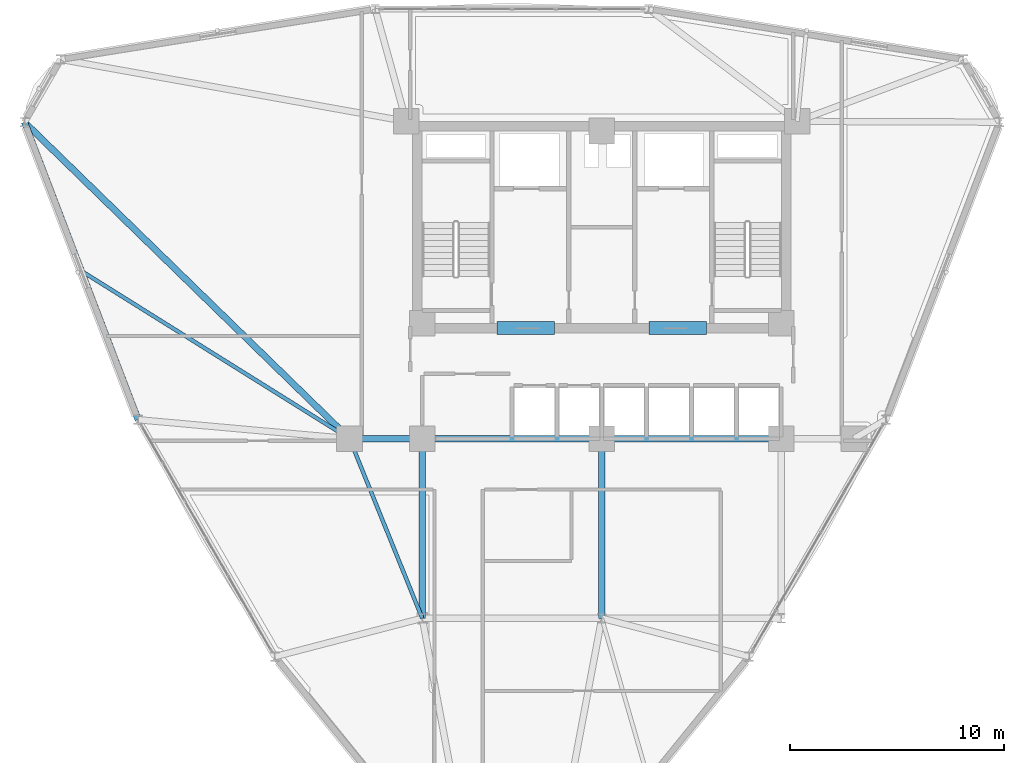
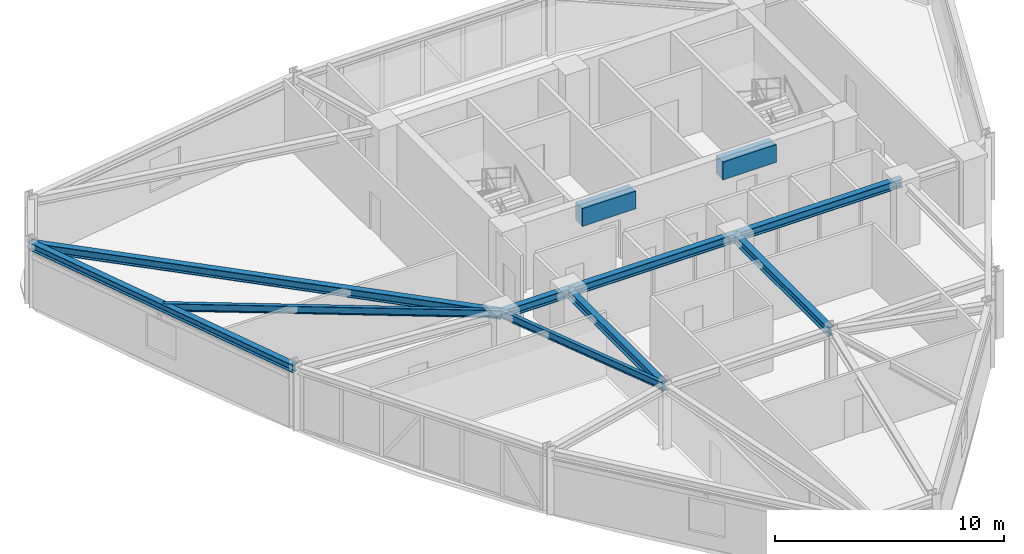
# One storey, part 5 of 15: 11 beams.
"""IFC4 building model written with IfcOpenShell, lengths in metres."""

from ifc_helpers import new_model, si_unit, derived_unit, direction, frame, origin, origin_2d, place, context, subcontext, project, spatial, rectangle, i_section, extrude, source, transform, mapped, material, material_profile, profile_set, type_object, element, save


model = new_model("IFC4")

# Units and contexts
model_context = context("Model", 3, precision=1e-05, world=origin(), true_north=direction((0.0, 1.0)))
body_context = subcontext(model_context, "Body", "Model", "MODEL_VIEW")
ifc_project = project(units=[si_unit("LENGTHUNIT", "METRE"), si_unit("AREAUNIT", "SQUARE_METRE"), si_unit("VOLUMEUNIT", "CUBIC_METRE"), si_unit("PLANEANGLEUNIT", "RADIAN"), si_unit("MASSUNIT", "GRAM", prefix="KILO"), derived_unit("THERMALTRANSMITTANCEUNIT", [(si_unit("POWERUNIT", "WATT"), 1), (si_unit("LENGTHUNIT", "METRE"), -2), (si_unit("THERMODYNAMICTEMPERATUREUNIT", "KELVIN"), -1)])], contexts=[model_context])

# Site, building, storey
site_placement = place(None, origin())
site = spatial("IfcSite", under=ifc_project, at=site_placement, CompositionType="ELEMENT")
building_placement = place(site_placement, origin())
building = spatial("IfcBuilding", under=site, at=building_placement, Name="Korsvarv Bourse and Concert Hall", CompositionType="ELEMENT")
storey_placement = place(building_placement, frame((0.0, 0.0, 161.39990234375)))
storey = spatial("IfcBuildingStorey", under=building, at=storey_placement, Name="L41", CompositionType="ELEMENT", Elevation=161.39990234375)

# Beams
ifc_material_1 = material(Name="Concrete C55/67", Category="concrete")
ifc_material_profile_1 = material_profile(ifc_material_1, rectangle(XDim=0.60009765625, YDim=0.949951171875, at=origin_2d()), Name="RC-BM 600x950")
ifc_profile_set_1 = profile_set([ifc_material_profile_1], Name="Concrete C55/67")
beam_type_1 = type_object("IfcBeamType", Name="BM-CPL", PredefinedType="LINTEL", material=ifc_profile_set_1)
shared_shape_1 = source(origin(), body_context, "Body", "SweptSolid", [
    extrude(rectangle(XDim=0.60009765625, YDim=0.949951171875, at=origin_2d()), origin(), (0.0, 0.0, 1.0), 2.699951171875),
])
for number, where, z_axis, x_axis, name in (
    (1, (31.10009765625, 37.574951171875, 2.925048828125), (1.0, 0.0, 0.0), (0.0, 1.0, 0.0), "L41 Core Coupling Beam West"),
    (2, (38.199951171875, 37.574951171875, 2.925048828125), (1.0, 0.0, 0.0), (0.0, 1.0, 0.0), "L41 Core Coupling Beam East"),
):
    element("IfcBeam", number, at=place(storey_placement, frame(where, z_axis=z_axis, x_axis=x_axis)), inside=storey, type_object=beam_type_1, Name=name, PredefinedType="LINTEL", context=body_context, shape_type="MappedRepresentation", body=[
        mapped(shared_shape_1, transform((0.0, 0.0, 0.0), scale=1.0)),
    ])
ifc_material_2 = material(Name="Steel S355", Category="steel")
ifc_material_profile_2 = material_profile(ifc_material_2, i_section(OverallWidth=0.179931640625, OverallDepth=0.39990234375, WebThickness=0.008544921875, FlangeThickness=0.013427734375, FilletRadius=0.02099609375, at=origin_2d()), Name="IPE 400")
ifc_profile_set_2 = profile_set([ifc_material_profile_2], Name="Steel S355")
beam_type_2 = type_object("IfcBeamType", Name="BM-IPE400", PredefinedType="JOIST", material=ifc_profile_set_2)
shared_shape_2 = source(origin(), body_context, "Body", "SweptSolid", [
    extrude(i_section(OverallWidth=0.179931640625, OverallDepth=0.39990234375, WebThickness=0.008544921875, FlangeThickness=0.013427734375, FilletRadius=0.02099609375, at=origin_2d()), origin(), (0.0, 0.0, 1.0), 9.06201171875),
])
beam_1_placement = place(storey_placement, frame((24.199951171875, 32.39990234375, 3.2001953125), z_axis=(0.375210394783, -0.926939674222, 0.0), x_axis=(0.926939674222, 0.375210394783, 0.0)))
element("IfcBeam", 3, at=beam_1_placement, inside=storey, type_object=beam_type_2, Name="L41 beam J-05", PredefinedType="JOIST", context=body_context, shape_type="MappedRepresentation", body=[
    mapped(shared_shape_2, transform((0.0, 0.0, 0.0), scale=1.0)),
])
ifc_material_profile_3 = material_profile(ifc_material_2, i_section(OverallWidth=0.300048828125, OverallDepth=0.449951171875, WebThickness=0.013916015625, FlangeThickness=0.02587890625, FilletRadius=0.02099609375, at=origin_2d()), Name="HEB 450")
ifc_profile_set_3 = profile_set([ifc_material_profile_3], Name="Steel S355")
beam_type_3 = type_object("IfcBeamType", Name="BM-HEB450", PredefinedType="SPANDREL", material=ifc_profile_set_3)
shared_shape_3 = source(origin(), body_context, "Body", "SweptSolid", [
    extrude(i_section(OverallWidth=0.300048828125, OverallDepth=0.449951171875, WebThickness=0.013916015625, FlangeThickness=0.02587890625, FilletRadius=0.02099609375, at=origin_2d()), origin(), (0.0, 0.0, 1.0), 3.400146484375),
])
beam_2_placement = place(storey_placement, frame((24.199951171875, 32.39990234375, 3.175048828125), z_axis=(1.0, 0.0, 0.0), x_axis=(0.0, 1.0, 0.0)))
element("IfcBeam", 4, at=beam_2_placement, inside=storey, type_object=beam_type_3, Name="L41 beam B-08", PredefinedType="SPANDREL", context=body_context, shape_type="MappedRepresentation", body=[
    mapped(shared_shape_3, transform((0.0, 0.0, 0.0), scale=1.0)),
])
shared_shape_4 = source(origin(), body_context, "Body", "SweptSolid", [
    extrude(i_section(OverallWidth=0.300048828125, OverallDepth=0.449951171875, WebThickness=0.013916015625, FlangeThickness=0.02587890625, FilletRadius=0.02099609375, at=origin_2d()), origin(), (0.0, 0.0, 1.0), 8.39990234375),
])
for number, where, z_axis, x_axis, name in (
    (5, (27.60009765625, 32.39990234375, 3.175048828125), (1.0, 0.0, 0.0), (0.0, 1.0, 0.0), "L41 beam B-08"),
    (6, (36.0, 32.39990234375, 3.175048828125), (1.0, 0.0, 0.0), (0.0, 1.0, 0.0), "L41 beam B-08"),
    (7, (27.60009765625, 24.0, 3.175048828125), (0.0, 1.0, 0.0), (-1.0, 0.0, 0.0), "L41 beam B-08"),
    (8, (36.0, 24.0, 3.175048828125), (0.0, 1.0, 0.0), (-1.0, 0.0, 0.0), "L41 beam B-08"),
):
    element("IfcBeam", number, at=place(storey_placement, frame(where, z_axis=z_axis, x_axis=x_axis)), inside=storey, type_object=beam_type_3, Name=name, PredefinedType="SPANDREL", context=body_context, shape_type="MappedRepresentation", body=[
        mapped(shared_shape_4, transform((0.0, 0.0, 0.0), scale=1.0)),
    ])
ifc_material_profile_4 = material_profile(ifc_material_2, i_section(OverallWidth=0.300048828125, OverallDepth=0.39990234375, WebThickness=0.013427734375, FlangeThickness=0.02392578125, FilletRadius=0.02099609375, at=origin_2d()), Name="HEB 400")
ifc_profile_set_4 = profile_set([ifc_material_profile_4], Name="Steel S355")
beam_type_4 = type_object("IfcBeamType", Name="BM-HEB400", PredefinedType="SPANDREL", material=ifc_profile_set_4)
shared_shape_5 = source(origin(), body_context, "Body", "SweptSolid", [
    extrude(i_section(OverallWidth=0.300048828125, OverallDepth=0.39990234375, WebThickness=0.013427734375, FlangeThickness=0.02392578125, FilletRadius=0.02099609375, at=origin_2d()), origin(), (0.0, 0.0, 1.0), 14.90478515625),
])
beam_3_placement = place(storey_placement, frame((8.985595703125, 47.2138671875, 3.2001953125), z_axis=(0.356775123781, -0.934190297023, 0.0), x_axis=(0.934190297023, 0.356775123781, 0.0)))
element("IfcBeam", 9, at=beam_3_placement, inside=storey, type_object=beam_type_4, Name="L41 beam B-09", PredefinedType="SPANDREL", context=body_context, shape_type="MappedRepresentation", body=[
    mapped(shared_shape_5, transform((0.0, 0.0, 0.0), scale=1.0)),
])
shared_shape_6 = source(origin(), body_context, "Body", "SweptSolid", [
    extrude(i_section(OverallWidth=0.300048828125, OverallDepth=0.449951171875, WebThickness=0.013916015625, FlangeThickness=0.02587890625, FilletRadius=0.02099609375, at=origin_2d()), origin(), (0.0, 0.0, 1.0), 21.235107421875),
])
beam_4_placement = place(storey_placement, frame((8.985595703125, 47.2138671875, 3.175048828125), z_axis=(0.71647149055, -0.697616372535, 0.0), x_axis=(0.697616372535, 0.71647149055, 0.0)))
element("IfcBeam", 10, at=beam_4_placement, inside=storey, type_object=beam_type_3, Name="L41 beam B-08", PredefinedType="SPANDREL", context=body_context, shape_type="MappedRepresentation", body=[
    mapped(shared_shape_6, transform((0.0, 0.0, 0.0), scale=1.0)),
])
shared_shape_7 = source(origin(), body_context, "Body", "SweptSolid", [
    extrude(i_section(OverallWidth=0.179931640625, OverallDepth=0.39990234375, WebThickness=0.008544921875, FlangeThickness=0.013427734375, FilletRadius=0.02099609375, at=origin_2d()), origin(), (0.0, 0.0, 1.0), 14.80859375),
])
beam_5_placement = place(storey_placement, frame((11.64453125, 40.251953125, 3.2001953125), z_axis=(0.847849151341, -0.530237509585, 0.0), x_axis=(0.530237509585, 0.847849151341, 0.0)))
element("IfcBeam", 11, at=beam_5_placement, inside=storey, type_object=beam_type_2, Name="L41 beam J-05", PredefinedType="JOIST", context=body_context, shape_type="MappedRepresentation", body=[
    mapped(shared_shape_7, transform((0.0, 0.0, 0.0), scale=1.0)),
])

save(model, "model.ifc")
